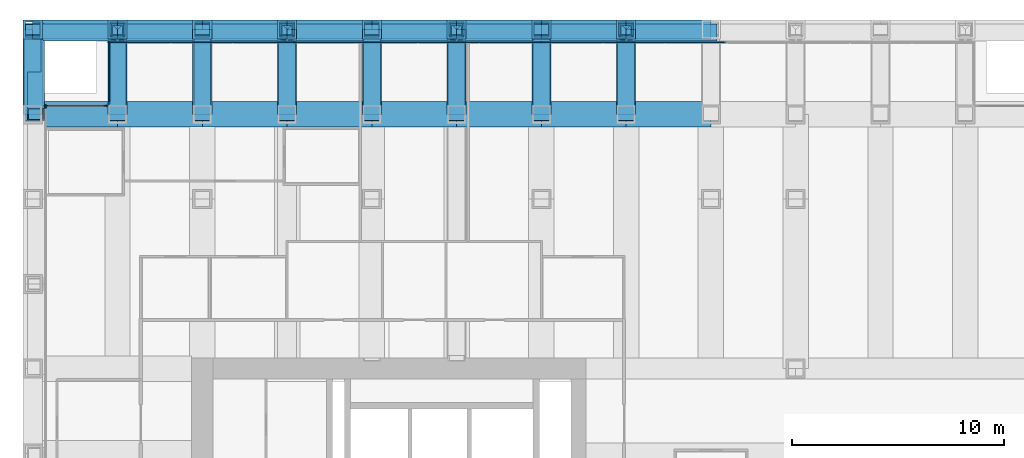
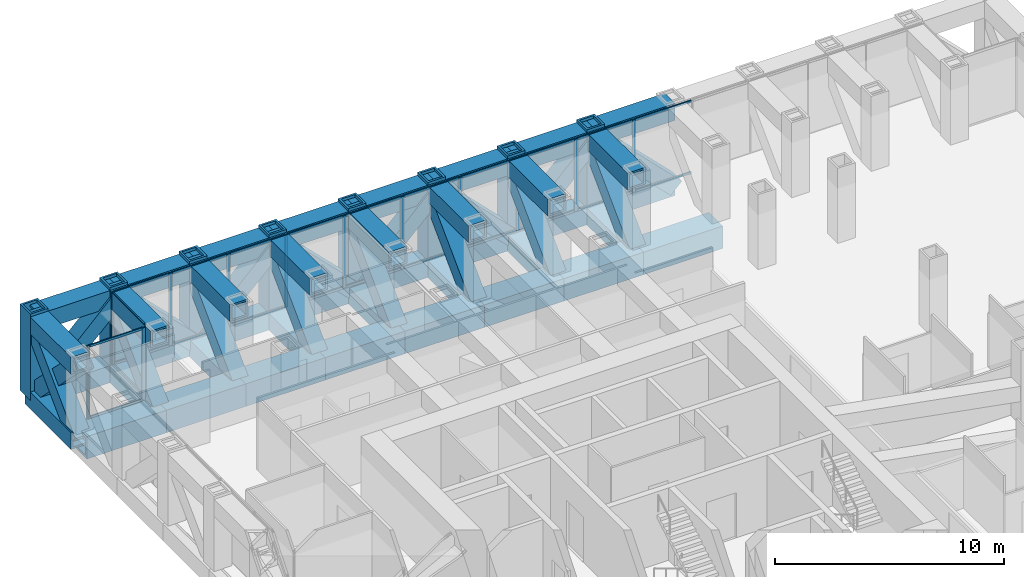
# One storey, part 9 of 18: 64 members, 40 beams, 4 elements without a shape of their own.
"""IFC4 building model written with IfcOpenShell, lengths in metres."""

from ifc_helpers import new_model, si_unit, direction, frame, origin, origin_2d, place, context, subcontext, project, spatial, rectangle, hollow_rectangle, extrude, material, material_profile, profile_set, type_object, element, aggregate, save


model = new_model("IFC4")

# Units and contexts
model_context = context("Model", 3, precision=1e-05, world=origin(), true_north=direction((0.0, 1.0)))
body_context = subcontext(model_context, "Body", "Model", "MODEL_VIEW")
ifc_project = project(units=[si_unit("LENGTHUNIT", "METRE"), si_unit("AREAUNIT", "SQUARE_METRE"), si_unit("VOLUMEUNIT", "CUBIC_METRE"), si_unit("PLANEANGLEUNIT", "RADIAN"), si_unit("MASSUNIT", "GRAM", prefix="KILO")], contexts=[model_context])

# Site, building, storey
site_placement = place(None, origin())
site = spatial("IfcSite", under=ifc_project, at=site_placement, CompositionType="ELEMENT")
building_placement = place(site_placement, origin())
building = spatial("IfcBuilding", under=site, at=building_placement, Name="Rimbunsela Tower", CompositionType="ELEMENT")
storey_placement = place(building_placement, frame((0.0, 0.0, 105.39990234375)))
storey = spatial("IfcBuildingStorey", under=building, at=storey_placement, Name="L25", CompositionType="ELEMENT", Elevation=105.39990234375)

# Beams
ifc_material_1 = material(Name="Steel BJ 55 (fy 410 MPa)", Category="steel")
ifc_material_profile_1 = material_profile(ifc_material_1, hollow_rectangle(XDim=1.199951171875, YDim=1.199951171875, WallThickness=0.125, at=origin_2d()), Name="BOX 1200x1200x125")
ifc_profile_set_1 = profile_set([ifc_material_profile_1], Name="Steel BJ 55 (fy 410 MPa)")
beam_type_1 = type_object("IfcBeamType", Name="Beam BOX 1200x1200x125", PredefinedType="BEAM", material=ifc_profile_set_1)
for number, where, z_axis, x_axis, name in (
    (1, (10.0, 48.0, -0.75), (1.0, 0.0, 0.0), (0.0, 1.0, 0.0), "Beam B4 L25"),
    (2, (14.0, 48.0, -0.75), (1.0, 0.0, 0.0), (0.0, 1.0, 0.0), "Beam B4 L25"),
    (3, (18.0, 48.0, -0.75), (1.0, 0.0, 0.0), (0.0, 1.0, 0.0), "Beam B4 L25"),
    (4, (22.0, 48.0, -0.75), (1.0, 0.0, 0.0), (0.0, 1.0, 0.0), "Beam B4 L25"),
    (5, (26.0, 48.0, -0.75), (1.0, 0.0, 0.0), (0.0, 1.0, 0.0), "Beam B4 L25"),
    (6, (30.0, 48.0, -0.75), (1.0, 0.0, 0.0), (0.0, 1.0, 0.0), "Beam B4 L25"),
    (7, (34.0, 48.0, -0.75), (1.0, 0.0, 0.0), (0.0, 1.0, 0.0), "Beam B4 L25"),
    (8, (38.0, 48.0, -0.75), (1.0, 0.0, 0.0), (0.0, 1.0, 0.0), "Beam B4 L25"),
):
    element("IfcBeam", number, at=place(storey_placement, frame(where, z_axis=z_axis, x_axis=x_axis)), inside=storey, type_object=beam_type_1, Name=name, PredefinedType="BEAM", context=body_context, shape_type="SweptSolid", body=[
        extrude(hollow_rectangle(XDim=1.199951171875, YDim=1.199951171875, WallThickness=0.125, at=origin_2d()), origin(), (0.0, 0.0, 1.0), 4.0),
    ])

# Curtain wall, members
ifc_material_2 = material(Name="Aluminium curtain wall", Category="aluminium")
curtain_wall_type_1 = type_object("IfcCurtainWallType", Name="Exoskeleton storey infill", PredefinedType="USERDEFINED", material=ifc_material_2)
curtain_wall_1_placement = place(storey_placement, origin())
curtain_wall_1 = element("IfcCurtainWall", 9, at=curtain_wall_1_placement, inside=storey, type_object=curtain_wall_type_1, Name="Exoskeleton storey infill L25", ObjectType="EXOSKELETON STOREY INFILL", PredefinedType="USERDEFINED")
ifc_material_3 = material(Name="Aluminium mullion", Category="aluminium")
ifc_material_profile_2 = material_profile(ifc_material_3, rectangle(XDim=0.06005859375, YDim=0.159912109375, at=origin_2d()), Name="Mullion 60x160")
ifc_profile_set_2 = profile_set([ifc_material_profile_2], Name="Aluminium mullion")
member_type_1 = type_object("IfcMemberType", Name="Curtain wall mullion 60x160", PredefinedType="MULLION", material=ifc_profile_set_2)
member_1_placement = place(storey_placement, frame((39.82861328125, 51.39990234375, 0.0), z_axis=(0.0, 0.0, 1.0), x_axis=(0.0, -1.0, 0.0)))
member_1 = element("IfcMember", 10, at=member_1_placement, type_object=member_type_1, Name="CW2 mullion 6", PredefinedType="MULLION", context=body_context, shape_type="SweptSolid", body=[
    extrude(rectangle(XDim=0.06005859375, YDim=0.159912109375, at=origin_2d()), origin(), (0.0, 0.0, 1.0), 3.85009765625),
])
member_2_placement = place(storey_placement, frame((36.914306640625, 51.39990234375, 0.0), z_axis=(0.0, 0.0, 1.0), x_axis=(0.0, -1.0, 0.0)))
member_2 = element("IfcMember", 11, at=member_2_placement, type_object=member_type_1, Name="CW2 mullion 7", PredefinedType="MULLION", context=body_context, shape_type="SweptSolid", body=[
    extrude(rectangle(XDim=0.06005859375, YDim=0.159912109375, at=origin_2d()), origin(), (0.0, 0.0, 1.0), 3.85009765625),
])
member_3_placement = place(storey_placement, frame((34.0, 51.39990234375, 0.0), z_axis=(0.0, 0.0, 1.0), x_axis=(0.0, -1.0, 0.0)))
member_3 = element("IfcMember", 12, at=member_3_placement, type_object=member_type_1, Name="CW2 mullion 8", PredefinedType="MULLION", context=body_context, shape_type="SweptSolid", body=[
    extrude(rectangle(XDim=0.06005859375, YDim=0.159912109375, at=origin_2d()), origin(), (0.0, 0.0, 1.0), 3.85009765625),
])
member_4_placement = place(storey_placement, frame((31.085693359375, 51.39990234375, 0.0), z_axis=(0.0, 0.0, 1.0), x_axis=(0.0, -1.0, 0.0)))
member_4 = element("IfcMember", 13, at=member_4_placement, type_object=member_type_1, Name="CW2 mullion 9", PredefinedType="MULLION", context=body_context, shape_type="SweptSolid", body=[
    extrude(rectangle(XDim=0.06005859375, YDim=0.159912109375, at=origin_2d()), origin(), (0.0, 0.0, 1.0), 3.85009765625),
])
member_5_placement = place(storey_placement, frame((28.17138671875, 51.39990234375, 0.0), z_axis=(0.0, 0.0, 1.0), x_axis=(0.0, -1.0, 0.0)))
member_5 = element("IfcMember", 14, at=member_5_placement, type_object=member_type_1, Name="CW2 mullion 10", PredefinedType="MULLION", context=body_context, shape_type="SweptSolid", body=[
    extrude(rectangle(XDim=0.06005859375, YDim=0.159912109375, at=origin_2d()), origin(), (0.0, 0.0, 1.0), 3.85009765625),
])
member_6_placement = place(storey_placement, frame((25.257080078125, 51.39990234375, 0.0), z_axis=(0.0, 0.0, 1.0), x_axis=(0.0, -1.0, 0.0)))
member_6 = element("IfcMember", 15, at=member_6_placement, type_object=member_type_1, Name="CW2 mullion 11", PredefinedType="MULLION", context=body_context, shape_type="SweptSolid", body=[
    extrude(rectangle(XDim=0.06005859375, YDim=0.159912109375, at=origin_2d()), origin(), (0.0, 0.0, 1.0), 3.85009765625),
])
member_7_placement = place(storey_placement, frame((22.3427734375, 51.39990234375, 0.0), z_axis=(0.0, 0.0, 1.0), x_axis=(0.0, -1.0, 0.0)))
member_7 = element("IfcMember", 16, at=member_7_placement, type_object=member_type_1, Name="CW2 mullion 12", PredefinedType="MULLION", context=body_context, shape_type="SweptSolid", body=[
    extrude(rectangle(XDim=0.06005859375, YDim=0.159912109375, at=origin_2d()), origin(), (0.0, 0.0, 1.0), 3.85009765625),
])
member_8_placement = place(storey_placement, frame((19.428466796875, 51.39990234375, 0.0), z_axis=(0.0, 0.0, 1.0), x_axis=(0.0, -1.0, 0.0)))
member_8 = element("IfcMember", 17, at=member_8_placement, type_object=member_type_1, Name="CW2 mullion 13", PredefinedType="MULLION", context=body_context, shape_type="SweptSolid", body=[
    extrude(rectangle(XDim=0.06005859375, YDim=0.159912109375, at=origin_2d()), origin(), (0.0, 0.0, 1.0), 3.85009765625),
])
member_9_placement = place(storey_placement, frame((16.514404296875, 51.39990234375, 0.0), z_axis=(0.0, 0.0, 1.0), x_axis=(0.0, -1.0, 0.0)))
member_9 = element("IfcMember", 18, at=member_9_placement, type_object=member_type_1, Name="CW2 mullion 14", PredefinedType="MULLION", context=body_context, shape_type="SweptSolid", body=[
    extrude(rectangle(XDim=0.06005859375, YDim=0.159912109375, at=origin_2d()), origin(), (0.0, 0.0, 1.0), 3.85009765625),
])
member_10_placement = place(storey_placement, frame((13.6298828125, 51.39990234375, 0.0), z_axis=(0.0, 0.0, 1.0), x_axis=(0.0, -1.0, 0.0)))
member_10 = element("IfcMember", 19, at=member_10_placement, type_object=member_type_1, Name="CW2 mullion 15", PredefinedType="MULLION", context=body_context, shape_type="SweptSolid", body=[
    extrude(rectangle(XDim=0.06005859375, YDim=0.159912109375, at=origin_2d()), origin(), (0.0, 0.0, 1.0), 3.85009765625),
])

ifc_material_4 = material(Name="Aluminium curtain wall", Category="aluminium")
curtain_wall_type_2 = type_object("IfcCurtainWallType", Name="Spandrel wall", PredefinedType="USERDEFINED", material=ifc_material_4)
curtain_wall_2_placement = place(storey_placement, origin())
curtain_wall_2 = element("IfcCurtainWall", 20, at=curtain_wall_2_placement, inside=storey, type_object=curtain_wall_type_2, Name="Spandrel wall L25", ObjectType="SPANDREL WALL", PredefinedType="USERDEFINED")
member_11_placement = place(storey_placement, frame((13.60009765625, 51.3701171875, 0.0), z_axis=(0.0, 0.0, 1.0), x_axis=(1.0, 0.0, 0.0)))
member_11 = element("IfcMember", 21, at=member_11_placement, type_object=member_type_1, Name="CW7 mullion 1", PredefinedType="MULLION", context=body_context, shape_type="SweptSolid", body=[
    extrude(rectangle(XDim=0.06005859375, YDim=0.159912109375, at=origin_2d()), origin(), (0.0, 0.0, 1.0), 3.85009765625),
])
member_12_placement = place(storey_placement, frame((13.60009765625, 48.580078125, 0.0), z_axis=(0.0, 0.0, 1.0), x_axis=(1.0, 0.0, 0.0)))
member_12 = element("IfcMember", 22, at=member_12_placement, type_object=member_type_1, Name="CW7 mullion 2", PredefinedType="MULLION", context=body_context, shape_type="SweptSolid", body=[
    extrude(rectangle(XDim=0.06005859375, YDim=0.159912109375, at=origin_2d()), origin(), (0.0, 0.0, 1.0), 3.85009765625),
])

ifc_material_5 = material(Name="Aluminium curtain wall", Category="aluminium")
curtain_wall_type_3 = type_object("IfcCurtainWallType", Name="Corner glazing", PredefinedType="USERDEFINED", material=ifc_material_5)
curtain_wall_3_placement = place(storey_placement, origin())
curtain_wall_3 = element("IfcCurtainWall", 23, at=curtain_wall_3_placement, inside=storey, type_object=curtain_wall_type_3, Name="Corner glazing L25", ObjectType="CORNER GLAZING", PredefinedType="USERDEFINED")
member_13_placement = place(storey_placement, frame((13.419921875, 48.39990234375, 0.0), z_axis=(0.0, 0.0, 1.0), x_axis=(0.0, -1.0, 0.0)))
member_13 = element("IfcMember", 24, at=member_13_placement, type_object=member_type_1, Name="CW5 mullion 1", PredefinedType="MULLION", context=body_context, shape_type="SweptSolid", body=[
    extrude(rectangle(XDim=0.06005859375, YDim=0.159912109375, at=origin_2d()), origin(), (0.0, 0.0, 1.0), 3.85009765625),
])
member_14_placement = place(storey_placement, frame((10.6298828125, 48.39990234375, 0.0), z_axis=(0.0, 0.0, 1.0), x_axis=(0.0, -1.0, 0.0)))
member_14 = element("IfcMember", 25, at=member_14_placement, type_object=member_type_1, Name="CW5 mullion 2", PredefinedType="MULLION", context=body_context, shape_type="SweptSolid", body=[
    extrude(rectangle(XDim=0.06005859375, YDim=0.159912109375, at=origin_2d()), origin(), (0.0, 0.0, 1.0), 3.85009765625),
])

# Curtain wall, member
curtain_wall_4_placement = place(storey_placement, origin())
curtain_wall_4 = element("IfcCurtainWall", 26, at=curtain_wall_4_placement, inside=storey, type_object=curtain_wall_type_1, Name="Exoskeleton storey infill L25", ObjectType="EXOSKELETON STOREY INFILL", PredefinedType="USERDEFINED")
member_15_placement = place(storey_placement, frame((10.60009765625, 48.3701171875, 0.0), z_axis=(0.0, 0.0, 1.0), x_axis=(1.0, 0.0, 0.0)))
member_15 = element("IfcMember", 27, at=member_15_placement, type_object=member_type_1, Name="CW2 mullion 1", PredefinedType="MULLION", context=body_context, shape_type="SweptSolid", body=[
    extrude(rectangle(XDim=0.06005859375, YDim=0.159912109375, at=origin_2d()), origin(), (0.0, 0.0, 1.0), 3.85009765625),
])
aggregate(curtain_wall_4, [member_15])

# Member
ifc_material_6 = material(Name="Aluminium transom", Category="aluminium")
ifc_material_profile_3 = material_profile(ifc_material_6, rectangle(XDim=0.06005859375, YDim=0.1201171875, at=origin_2d()), Name="Transom 60x120")
ifc_profile_set_3 = profile_set([ifc_material_profile_3], Name="Aluminium transom")
member_type_2 = type_object("IfcMemberType", Name="Curtain wall transom 60x120", PredefinedType="USERDEFINED", material=ifc_profile_set_3)
member_16_placement = place(storey_placement, frame((42.712890625, 51.39990234375, 0.030029296875), z_axis=(-1.0, 0.0, 0.0), x_axis=(0.0, -1.0, 0.0)))
member_16 = element("IfcMember", 28, at=member_16_placement, type_object=member_type_2, Name="CW2 transom 5.1", ObjectType="TRANSOM", PredefinedType="USERDEFINED", context=body_context, shape_type="SweptSolid", body=[
    extrude(rectangle(XDim=0.06005859375, YDim=0.1201171875, at=origin_2d()), origin(), (0.0, 0.0, 1.0), 2.854248046875),
])

member_17_placement = place(storey_placement, frame((42.712890625, 51.39990234375, 3.820068359375), z_axis=(-1.0, 0.0, 0.0), x_axis=(0.0, -1.0, 0.0)))
member_17 = element("IfcMember", 29, at=member_17_placement, type_object=member_type_2, Name="CW2 transom 5.2", ObjectType="TRANSOM", PredefinedType="USERDEFINED", context=body_context, shape_type="SweptSolid", body=[
    extrude(rectangle(XDim=0.06005859375, YDim=0.1201171875, at=origin_2d()), origin(), (0.0, 0.0, 1.0), 2.854248046875),
])

member_18_placement = place(storey_placement, frame((39.798583984375, 51.39990234375, 0.030029296875), z_axis=(-1.0, 0.0, 0.0), x_axis=(0.0, -1.0, 0.0)))
member_18 = element("IfcMember", 30, at=member_18_placement, type_object=member_type_2, Name="CW2 transom 6.1", ObjectType="TRANSOM", PredefinedType="USERDEFINED", context=body_context, shape_type="SweptSolid", body=[
    extrude(rectangle(XDim=0.06005859375, YDim=0.1201171875, at=origin_2d()), origin(), (0.0, 0.0, 1.0), 2.854248046875),
])

member_19_placement = place(storey_placement, frame((39.798583984375, 51.39990234375, 3.820068359375), z_axis=(-1.0, 0.0, 0.0), x_axis=(0.0, -1.0, 0.0)))
member_19 = element("IfcMember", 31, at=member_19_placement, type_object=member_type_2, Name="CW2 transom 6.2", ObjectType="TRANSOM", PredefinedType="USERDEFINED", context=body_context, shape_type="SweptSolid", body=[
    extrude(rectangle(XDim=0.06005859375, YDim=0.1201171875, at=origin_2d()), origin(), (0.0, 0.0, 1.0), 2.854248046875),
])

member_20_placement = place(storey_placement, frame((36.88427734375, 51.39990234375, 0.030029296875), z_axis=(-1.0, 0.0, 0.0), x_axis=(0.0, -1.0, 0.0)))
member_20 = element("IfcMember", 32, at=member_20_placement, type_object=member_type_2, Name="CW2 transom 7.1", ObjectType="TRANSOM", PredefinedType="USERDEFINED", context=body_context, shape_type="SweptSolid", body=[
    extrude(rectangle(XDim=0.06005859375, YDim=0.1201171875, at=origin_2d()), origin(), (0.0, 0.0, 1.0), 2.854248046875),
])

member_21_placement = place(storey_placement, frame((36.88427734375, 51.39990234375, 3.820068359375), z_axis=(-1.0, 0.0, 0.0), x_axis=(0.0, -1.0, 0.0)))
member_21 = element("IfcMember", 33, at=member_21_placement, type_object=member_type_2, Name="CW2 transom 7.2", ObjectType="TRANSOM", PredefinedType="USERDEFINED", context=body_context, shape_type="SweptSolid", body=[
    extrude(rectangle(XDim=0.06005859375, YDim=0.1201171875, at=origin_2d()), origin(), (0.0, 0.0, 1.0), 2.854248046875),
])

member_22_placement = place(storey_placement, frame((33.969970703125, 51.39990234375, 0.030029296875), z_axis=(-1.0, 0.0, 0.0), x_axis=(0.0, -1.0, 0.0)))
member_22 = element("IfcMember", 34, at=member_22_placement, type_object=member_type_2, Name="CW2 transom 8.1", ObjectType="TRANSOM", PredefinedType="USERDEFINED", context=body_context, shape_type="SweptSolid", body=[
    extrude(rectangle(XDim=0.06005859375, YDim=0.1201171875, at=origin_2d()), origin(), (0.0, 0.0, 1.0), 2.854248046875),
])

member_23_placement = place(storey_placement, frame((33.969970703125, 51.39990234375, 3.820068359375), z_axis=(-1.0, 0.0, 0.0), x_axis=(0.0, -1.0, 0.0)))
member_23 = element("IfcMember", 35, at=member_23_placement, type_object=member_type_2, Name="CW2 transom 8.2", ObjectType="TRANSOM", PredefinedType="USERDEFINED", context=body_context, shape_type="SweptSolid", body=[
    extrude(rectangle(XDim=0.06005859375, YDim=0.1201171875, at=origin_2d()), origin(), (0.0, 0.0, 1.0), 2.854248046875),
])

member_24_placement = place(storey_placement, frame((31.0556640625, 51.39990234375, 0.030029296875), z_axis=(-1.0, 0.0, 0.0), x_axis=(0.0, -1.0, 0.0)))
member_24 = element("IfcMember", 36, at=member_24_placement, type_object=member_type_2, Name="CW2 transom 9.1", ObjectType="TRANSOM", PredefinedType="USERDEFINED", context=body_context, shape_type="SweptSolid", body=[
    extrude(rectangle(XDim=0.06005859375, YDim=0.1201171875, at=origin_2d()), origin(), (0.0, 0.0, 1.0), 2.854248046875),
])

member_25_placement = place(storey_placement, frame((31.0556640625, 51.39990234375, 3.820068359375), z_axis=(-1.0, 0.0, 0.0), x_axis=(0.0, -1.0, 0.0)))
member_25 = element("IfcMember", 37, at=member_25_placement, type_object=member_type_2, Name="CW2 transom 9.2", ObjectType="TRANSOM", PredefinedType="USERDEFINED", context=body_context, shape_type="SweptSolid", body=[
    extrude(rectangle(XDim=0.06005859375, YDim=0.1201171875, at=origin_2d()), origin(), (0.0, 0.0, 1.0), 2.854248046875),
])

member_26_placement = place(storey_placement, frame((28.141357421875, 51.39990234375, 0.030029296875), z_axis=(-1.0, 0.0, 0.0), x_axis=(0.0, -1.0, 0.0)))
member_26 = element("IfcMember", 38, at=member_26_placement, type_object=member_type_2, Name="CW2 transom 10.1", ObjectType="TRANSOM", PredefinedType="USERDEFINED", context=body_context, shape_type="SweptSolid", body=[
    extrude(rectangle(XDim=0.06005859375, YDim=0.1201171875, at=origin_2d()), origin(), (0.0, 0.0, 1.0), 2.854248046875),
])

member_27_placement = place(storey_placement, frame((28.141357421875, 51.39990234375, 3.820068359375), z_axis=(-1.0, 0.0, 0.0), x_axis=(0.0, -1.0, 0.0)))
member_27 = element("IfcMember", 39, at=member_27_placement, type_object=member_type_2, Name="CW2 transom 10.2", ObjectType="TRANSOM", PredefinedType="USERDEFINED", context=body_context, shape_type="SweptSolid", body=[
    extrude(rectangle(XDim=0.06005859375, YDim=0.1201171875, at=origin_2d()), origin(), (0.0, 0.0, 1.0), 2.854248046875),
])

member_28_placement = place(storey_placement, frame((25.22705078125, 51.39990234375, 0.030029296875), z_axis=(-1.0, 0.0, 0.0), x_axis=(0.0, -1.0, 0.0)))
member_28 = element("IfcMember", 40, at=member_28_placement, type_object=member_type_2, Name="CW2 transom 11.1", ObjectType="TRANSOM", PredefinedType="USERDEFINED", context=body_context, shape_type="SweptSolid", body=[
    extrude(rectangle(XDim=0.06005859375, YDim=0.1201171875, at=origin_2d()), origin(), (0.0, 0.0, 1.0), 2.854248046875),
])

member_29_placement = place(storey_placement, frame((25.22705078125, 51.39990234375, 3.820068359375), z_axis=(-1.0, 0.0, 0.0), x_axis=(0.0, -1.0, 0.0)))
member_29 = element("IfcMember", 41, at=member_29_placement, type_object=member_type_2, Name="CW2 transom 11.2", ObjectType="TRANSOM", PredefinedType="USERDEFINED", context=body_context, shape_type="SweptSolid", body=[
    extrude(rectangle(XDim=0.06005859375, YDim=0.1201171875, at=origin_2d()), origin(), (0.0, 0.0, 1.0), 2.854248046875),
])

member_30_placement = place(storey_placement, frame((22.312744140625, 51.39990234375, 0.030029296875), z_axis=(-1.0, 0.0, 0.0), x_axis=(0.0, -1.0, 0.0)))
member_30 = element("IfcMember", 42, at=member_30_placement, type_object=member_type_2, Name="CW2 transom 12.1", ObjectType="TRANSOM", PredefinedType="USERDEFINED", context=body_context, shape_type="SweptSolid", body=[
    extrude(rectangle(XDim=0.06005859375, YDim=0.1201171875, at=origin_2d()), origin(), (0.0, 0.0, 1.0), 2.854248046875),
])

member_31_placement = place(storey_placement, frame((22.312744140625, 51.39990234375, 3.820068359375), z_axis=(-1.0, 0.0, 0.0), x_axis=(0.0, -1.0, 0.0)))
member_31 = element("IfcMember", 43, at=member_31_placement, type_object=member_type_2, Name="CW2 transom 12.2", ObjectType="TRANSOM", PredefinedType="USERDEFINED", context=body_context, shape_type="SweptSolid", body=[
    extrude(rectangle(XDim=0.06005859375, YDim=0.1201171875, at=origin_2d()), origin(), (0.0, 0.0, 1.0), 2.854248046875),
])

member_32_placement = place(storey_placement, frame((19.398681640625, 51.39990234375, 0.030029296875), z_axis=(-1.0, 0.0, 0.0), x_axis=(0.0, -1.0, 0.0)))
member_32 = element("IfcMember", 44, at=member_32_placement, type_object=member_type_2, Name="CW2 transom 13.1", ObjectType="TRANSOM", PredefinedType="USERDEFINED", context=body_context, shape_type="SweptSolid", body=[
    extrude(rectangle(XDim=0.06005859375, YDim=0.1201171875, at=origin_2d()), origin(), (0.0, 0.0, 1.0), 2.8544921875),
])

member_33_placement = place(storey_placement, frame((19.398681640625, 51.39990234375, 3.820068359375), z_axis=(-1.0, 0.0, 0.0), x_axis=(0.0, -1.0, 0.0)))
member_33 = element("IfcMember", 45, at=member_33_placement, type_object=member_type_2, Name="CW2 transom 13.2", ObjectType="TRANSOM", PredefinedType="USERDEFINED", context=body_context, shape_type="SweptSolid", body=[
    extrude(rectangle(XDim=0.06005859375, YDim=0.1201171875, at=origin_2d()), origin(), (0.0, 0.0, 1.0), 2.8544921875),
])

member_34_placement = place(storey_placement, frame((16.484375, 51.39990234375, 0.030029296875), z_axis=(-1.0, 0.0, 0.0), x_axis=(0.0, -1.0, 0.0)))
member_34 = element("IfcMember", 46, at=member_34_placement, type_object=member_type_2, Name="CW2 transom 14.1", ObjectType="TRANSOM", PredefinedType="USERDEFINED", context=body_context, shape_type="SweptSolid", body=[
    extrude(rectangle(XDim=0.06005859375, YDim=0.1201171875, at=origin_2d()), origin(), (0.0, 0.0, 1.0), 2.824462890625),
])

member_35_placement = place(storey_placement, frame((16.484375, 51.39990234375, 3.820068359375), z_axis=(-1.0, 0.0, 0.0), x_axis=(0.0, -1.0, 0.0)))
member_35 = element("IfcMember", 47, at=member_35_placement, type_object=member_type_2, Name="CW2 transom 14.2", ObjectType="TRANSOM", PredefinedType="USERDEFINED", context=body_context, shape_type="SweptSolid", body=[
    extrude(rectangle(XDim=0.06005859375, YDim=0.1201171875, at=origin_2d()), origin(), (0.0, 0.0, 1.0), 2.824462890625),
])

aggregate(curtain_wall_1, [member_1, member_2, member_3, member_4, member_5, member_6, member_7, member_8, member_9, member_10, member_16, member_17, member_18, member_19, member_20, member_21, member_22, member_23, member_24, member_25, member_26, member_27, member_28, member_29, member_30, member_31, member_32, member_33, member_34, member_35])

member_36_placement = place(storey_placement, frame((13.60009765625, 51.340087890625, 0.030029296875), z_axis=(0.0, -1.0, 0.0), x_axis=(1.0, 0.0, 0.0)))
member_36 = element("IfcMember", 48, at=member_36_placement, type_object=member_type_2, Name="CW7 transom 1.1", ObjectType="TRANSOM", PredefinedType="USERDEFINED", context=body_context, shape_type="SweptSolid", body=[
    extrude(rectangle(XDim=0.06005859375, YDim=0.1201171875, at=origin_2d()), origin(), (0.0, 0.0, 1.0), 2.72998046875),
])

member_37_placement = place(storey_placement, frame((13.60009765625, 51.340087890625, 3.820068359375), z_axis=(0.0, -1.0, 0.0), x_axis=(1.0, 0.0, 0.0)))
member_37 = element("IfcMember", 49, at=member_37_placement, type_object=member_type_2, Name="CW7 transom 1.2", ObjectType="TRANSOM", PredefinedType="USERDEFINED", context=body_context, shape_type="SweptSolid", body=[
    extrude(rectangle(XDim=0.06005859375, YDim=0.1201171875, at=origin_2d()), origin(), (0.0, 0.0, 1.0), 2.72998046875),
])

aggregate(curtain_wall_2, [member_11, member_12, member_36, member_37])

member_38_placement = place(storey_placement, frame((13.389892578125, 48.39990234375, 0.030029296875), z_axis=(-1.0, 0.0, 0.0), x_axis=(0.0, -1.0, 0.0)))
member_38 = element("IfcMember", 50, at=member_38_placement, type_object=member_type_2, Name="CW5 transom 1.1", ObjectType="TRANSOM", PredefinedType="USERDEFINED", context=body_context, shape_type="SweptSolid", body=[
    extrude(rectangle(XDim=0.06005859375, YDim=0.1201171875, at=origin_2d()), origin(), (0.0, 0.0, 1.0), 2.72998046875),
])

member_39_placement = place(storey_placement, frame((13.389892578125, 48.39990234375, 3.820068359375), z_axis=(-1.0, 0.0, 0.0), x_axis=(0.0, -1.0, 0.0)))
member_39 = element("IfcMember", 51, at=member_39_placement, type_object=member_type_2, Name="CW5 transom 1.2", ObjectType="TRANSOM", PredefinedType="USERDEFINED", context=body_context, shape_type="SweptSolid", body=[
    extrude(rectangle(XDim=0.06005859375, YDim=0.1201171875, at=origin_2d()), origin(), (0.0, 0.0, 1.0), 2.72998046875),
])

aggregate(curtain_wall_3, [member_13, member_14, member_38, member_39])

# Beams
ifc_material_7 = material(Name="Steel BJ 55 (fy 410 MPa)", Category="steel")
ifc_material_profile_4 = material_profile(ifc_material_7, hollow_rectangle(XDim=0.89990234375, YDim=0.89990234375, WallThickness=0.10009765625, at=origin_2d()), Name="BOX 900x900x100")
ifc_profile_set_4 = profile_set([ifc_material_profile_4], Name="Steel BJ 55 (fy 410 MPa)")
beam_type_2 = type_object("IfcBeamType", Name="Truss chord BOX 900x900x100", PredefinedType="USERDEFINED", material=ifc_profile_set_4)
for number, where, z_axis, x_axis, name in (
    (52, (10.0, 52.0, 3.400146484375), (1.0, 0.0, 0.0), (0.0, 1.0, 0.0), "Truss top chord TC2 N face L25"),
    (53, (14.0, 52.0, 3.400146484375), (1.0, 0.0, 0.0), (0.0, 1.0, 0.0), "Truss top chord TC2 N face L25"),
    (54, (18.0, 52.0, 3.400146484375), (1.0, 0.0, 0.0), (0.0, 1.0, 0.0), "Truss top chord TC2 N face L25"),
    (55, (22.0, 52.0, 3.400146484375), (1.0, 0.0, 0.0), (0.0, 1.0, 0.0), "Truss top chord TC2 N face L25"),
    (56, (26.0, 52.0, 3.400146484375), (1.0, 0.0, 0.0), (0.0, 1.0, 0.0), "Truss top chord TC2 N face L25"),
    (57, (30.0, 52.0, 3.400146484375), (1.0, 0.0, 0.0), (0.0, 1.0, 0.0), "Truss top chord TC2 N face L25"),
    (58, (34.0, 52.0, 3.400146484375), (1.0, 0.0, 0.0), (0.0, 1.0, 0.0), "Truss top chord TC2 N face L25"),
    (59, (38.0, 52.0, 3.400146484375), (1.0, 0.0, 0.0), (0.0, 1.0, 0.0), "Truss top chord TC2 N face L25"),
    (60, (10.0, 48.0, 3.400146484375), (0.0, 1.0, 0.0), (-1.0, 0.0, 0.0), "Truss top chord TC2 W face L25"),
    (61, (10.0, 48.0, -0.599853515625), (0.0, 1.0, 0.0), (-1.0, 0.0, 0.0), "Truss bottom chord TC2 W face L25"),
    (62, (14.0, 48.0, -0.599853515625), (0.0, 1.0, 0.0), (-1.0, 0.0, 0.0), "Cantilever truss bottom chord TC2 6/Q L25"),
    (63, (14.0, 48.0, 3.400146484375), (0.0, 1.0, 0.0), (-1.0, 0.0, 0.0), "Cantilever truss top chord TC2 6/Q L25"),
    (64, (18.0, 48.0, -0.599853515625), (0.0, 1.0, 0.0), (-1.0, 0.0, 0.0), "Cantilever truss bottom chord TC2 7/Q L25"),
    (65, (18.0, 48.0, 3.400146484375), (0.0, 1.0, 0.0), (-1.0, 0.0, 0.0), "Cantilever truss top chord TC2 7/Q L25"),
    (66, (22.0, 48.0, -0.599853515625), (0.0, 1.0, 0.0), (-1.0, 0.0, 0.0), "Cantilever truss bottom chord TC2 8/Q L25"),
    (67, (22.0, 48.0, 3.400146484375), (0.0, 1.0, 0.0), (-1.0, 0.0, 0.0), "Cantilever truss top chord TC2 8/Q L25"),
    (68, (26.0, 48.0, -0.599853515625), (0.0, 1.0, 0.0), (-1.0, 0.0, 0.0), "Cantilever truss bottom chord TC2 9/Q L25"),
    (69, (26.0, 48.0, 3.400146484375), (0.0, 1.0, 0.0), (-1.0, 0.0, 0.0), "Cantilever truss top chord TC2 9/Q L25"),
    (70, (30.0, 48.0, -0.599853515625), (0.0, 1.0, 0.0), (-1.0, 0.0, 0.0), "Cantilever truss bottom chord TC2 10/Q L25"),
    (71, (30.0, 48.0, 3.400146484375), (0.0, 1.0, 0.0), (-1.0, 0.0, 0.0), "Cantilever truss top chord TC2 10/Q L25"),
    (72, (34.0, 48.0, -0.599853515625), (0.0, 1.0, 0.0), (-1.0, 0.0, 0.0), "Cantilever truss bottom chord TC2 11/Q L25"),
    (73, (34.0, 48.0, 3.400146484375), (0.0, 1.0, 0.0), (-1.0, 0.0, 0.0), "Cantilever truss top chord TC2 11/Q L25"),
    (74, (38.0, 48.0, -0.599853515625), (0.0, 1.0, 0.0), (-1.0, 0.0, 0.0), "Cantilever truss bottom chord TC2 12/Q L25"),
    (75, (38.0, 48.0, 3.400146484375), (0.0, 1.0, 0.0), (-1.0, 0.0, 0.0), "Cantilever truss top chord TC2 12/Q L25"),
    (76, (10.0, 52.0, -0.599853515625), (1.0, 0.0, 0.0), (0.0, 1.0, 0.0), "Truss bottom chord TC2 N face L25"),
    (77, (14.0, 52.0, -0.599853515625), (1.0, 0.0, 0.0), (0.0, 1.0, 0.0), "Truss bottom chord TC2 N face L25"),
    (78, (18.0, 52.0, -0.599853515625), (1.0, 0.0, 0.0), (0.0, 1.0, 0.0), "Truss bottom chord TC2 N face L25"),
    (79, (22.0, 52.0, -0.599853515625), (1.0, 0.0, 0.0), (0.0, 1.0, 0.0), "Truss bottom chord TC2 N face L25"),
    (80, (26.0, 52.0, -0.599853515625), (1.0, 0.0, 0.0), (0.0, 1.0, 0.0), "Truss bottom chord TC2 N face L25"),
    (81, (30.0, 52.0, -0.599853515625), (1.0, 0.0, 0.0), (0.0, 1.0, 0.0), "Truss bottom chord TC2 N face L25"),
    (82, (34.0, 52.0, -0.599853515625), (1.0, 0.0, 0.0), (0.0, 1.0, 0.0), "Truss bottom chord TC2 N face L25"),
    (83, (38.0, 52.0, -0.599853515625), (1.0, 0.0, 0.0), (0.0, 1.0, 0.0), "Truss bottom chord TC2 N face L25"),
):
    element("IfcBeam", number, at=place(storey_placement, frame(where, z_axis=z_axis, x_axis=x_axis)), inside=storey, type_object=beam_type_2, Name=name, ObjectType="TRUSS CHORD", PredefinedType="USERDEFINED", context=body_context, shape_type="SweptSolid", body=[
        extrude(hollow_rectangle(XDim=0.89990234375, YDim=0.89990234375, WallThickness=0.10009765625, at=origin_2d()), origin(), (0.0, 0.0, 1.0), 4.0),
    ])

# Members
ifc_material_8 = material(Name="Steel BJ 55 (fy 410 MPa)", Category="steel")
ifc_material_profile_5 = material_profile(ifc_material_8, hollow_rectangle(XDim=0.800048828125, YDim=0.800048828125, WallThickness=0.06005859375, at=origin_2d()), Name="BOX 800x800x60")
ifc_profile_set_5 = profile_set([ifc_material_profile_5], Name="Steel BJ 55 (fy 410 MPa)")
member_type_3 = type_object("IfcMemberType", Name="Truss diagonal BOX 800x800x60", PredefinedType="BRACE", material=ifc_profile_set_5)
for number, where, z_axis, x_axis, name in (
    (84, (10.0, 51.85009765625, -0.599853515625), (0.707106781187, 0.0, 0.707106781187), (0.0, 1.0, 0.0), "Truss diagonal TD2 N face L25"),
    (85, (14.0, 51.85009765625, 3.400146484375), (0.707106781187, 0.0, -0.707106781187), (0.0, 1.0, 0.0), "Truss diagonal TD2 N face L25"),
    (86, (18.0, 51.85009765625, -0.599853515625), (0.707106781187, 0.0, 0.707106781187), (0.0, 1.0, 0.0), "Truss diagonal TD2 N face L25"),
    (87, (22.0, 51.85009765625, 3.400146484375), (0.707106781187, 0.0, -0.707106781187), (0.0, 1.0, 0.0), "Truss diagonal TD2 N face L25"),
    (88, (26.0, 51.85009765625, -0.599853515625), (0.707106781187, 0.0, 0.707106781187), (0.0, 1.0, 0.0), "Truss diagonal TD2 N face L25"),
    (89, (30.0, 51.85009765625, 3.400146484375), (0.707106781187, 0.0, -0.707106781187), (0.0, 1.0, 0.0), "Truss diagonal TD2 N face L25"),
    (90, (34.0, 51.85009765625, -0.599853515625), (0.707106781187, 0.0, 0.707106781187), (0.0, 1.0, 0.0), "Truss diagonal TD2 N face L25"),
    (91, (38.0, 51.85009765625, 3.400146484375), (0.707106781187, 0.0, -0.707106781187), (0.0, 1.0, 0.0), "Truss diagonal TD2 N face L25"),
    (92, (10.14990234375, 48.0, 3.400146484375), (0.0, 0.707106781187, -0.707106781187), (-1.0, 0.0, 0.0), "Truss diagonal TD2 W face L25"),
    (93, (10.0, 48.0, -0.599853515625), (0.0, 0.707106781187, 0.707106781187), (-1.0, 0.0, 0.0), "Cantilever truss diagonal TD2 5/Q L25"),
    (94, (14.0, 48.0, -0.599853515625), (0.0, 0.707106781187, 0.707106781187), (-1.0, 0.0, 0.0), "Cantilever truss diagonal TD2 6/Q L25"),
    (95, (18.0, 48.0, -0.599853515625), (0.0, 0.707106781187, 0.707106781187), (-1.0, 0.0, 0.0), "Cantilever truss diagonal TD2 7/Q L25"),
    (96, (22.0, 48.0, -0.599853515625), (0.0, 0.707106781187, 0.707106781187), (-1.0, 0.0, 0.0), "Cantilever truss diagonal TD2 8/Q L25"),
    (97, (26.0, 48.0, -0.599853515625), (0.0, 0.707106781187, 0.707106781187), (-1.0, 0.0, 0.0), "Cantilever truss diagonal TD2 9/Q L25"),
    (98, (30.0, 48.0, -0.599853515625), (0.0, 0.707106781187, 0.707106781187), (-1.0, 0.0, 0.0), "Cantilever truss diagonal TD2 10/Q L25"),
    (99, (34.0, 48.0, -0.599853515625), (0.0, 0.707106781187, 0.707106781187), (-1.0, 0.0, 0.0), "Cantilever truss diagonal TD2 11/Q L25"),
    (100, (38.0, 48.0, -0.599853515625), (0.0, 0.707106781187, 0.707106781187), (-1.0, 0.0, 0.0), "Cantilever truss diagonal TD2 12/Q L25"),
):
    element("IfcMember", number, at=place(storey_placement, frame(where, z_axis=z_axis, x_axis=x_axis)), inside=storey, type_object=member_type_3, Name=name, PredefinedType="BRACE", context=body_context, shape_type="SweptSolid", body=[
        extrude(hollow_rectangle(XDim=0.800048828125, YDim=0.800048828125, WallThickness=0.06005859375, at=origin_2d()), origin(), (0.0, 0.0, 1.0), 5.65673828125),
    ])
ifc_material_9 = material(Name="Steel BJ 55 (fy 410 MPa)", Category="steel")
ifc_material_profile_6 = material_profile(ifc_material_9, hollow_rectangle(XDim=0.89990234375, YDim=0.89990234375, WallThickness=0.10009765625, at=origin_2d()), Name="BOX 900x900x100")
ifc_profile_set_6 = profile_set([ifc_material_profile_6], Name="Steel BJ 55 (fy 410 MPa)")
member_type_4 = type_object("IfcMemberType", Name="Truss post BOX 900x900x100", PredefinedType="POST", material=ifc_profile_set_6)
for number, where, z_axis, x_axis, name in (
    (101, (10.0, 52.0, -0.599853515625), (0.0, 0.0, 1.0), (1.0, 0.0, 0.0), "Truss post TP2 5/Q L25"),
    (102, (14.0, 52.0, -0.599853515625), (0.0, 0.0, 1.0), (1.0, 0.0, 0.0), "Truss post TP2 6/Q L25"),
    (103, (18.0, 52.0, -0.599853515625), (0.0, 0.0, 1.0), (1.0, 0.0, 0.0), "Truss post TP2 7/Q L25"),
    (104, (22.0, 52.0, -0.599853515625), (0.0, 0.0, 1.0), (1.0, 0.0, 0.0), "Truss post TP2 8/Q L25"),
    (105, (26.0, 52.0, -0.599853515625), (0.0, 0.0, 1.0), (1.0, 0.0, 0.0), "Truss post TP2 9/Q L25"),
    (106, (30.0, 52.0, -0.599853515625), (0.0, 0.0, 1.0), (1.0, 0.0, 0.0), "Truss post TP2 10/Q L25"),
    (107, (34.0, 52.0, -0.599853515625), (0.0, 0.0, 1.0), (1.0, 0.0, 0.0), "Truss post TP2 11/Q L25"),
    (108, (38.0, 52.0, -0.599853515625), (0.0, 0.0, 1.0), (1.0, 0.0, 0.0), "Truss post TP2 12/Q L25"),
):
    element("IfcMember", number, at=place(storey_placement, frame(where, z_axis=z_axis, x_axis=x_axis)), inside=storey, type_object=member_type_4, Name=name, PredefinedType="POST", context=body_context, shape_type="SweptSolid", body=[
        extrude(hollow_rectangle(XDim=0.89990234375, YDim=0.89990234375, WallThickness=0.10009765625, at=origin_2d()), origin(), (0.0, 0.0, 1.0), 4.599853515625),
    ])

save(model, "model.ifc")
